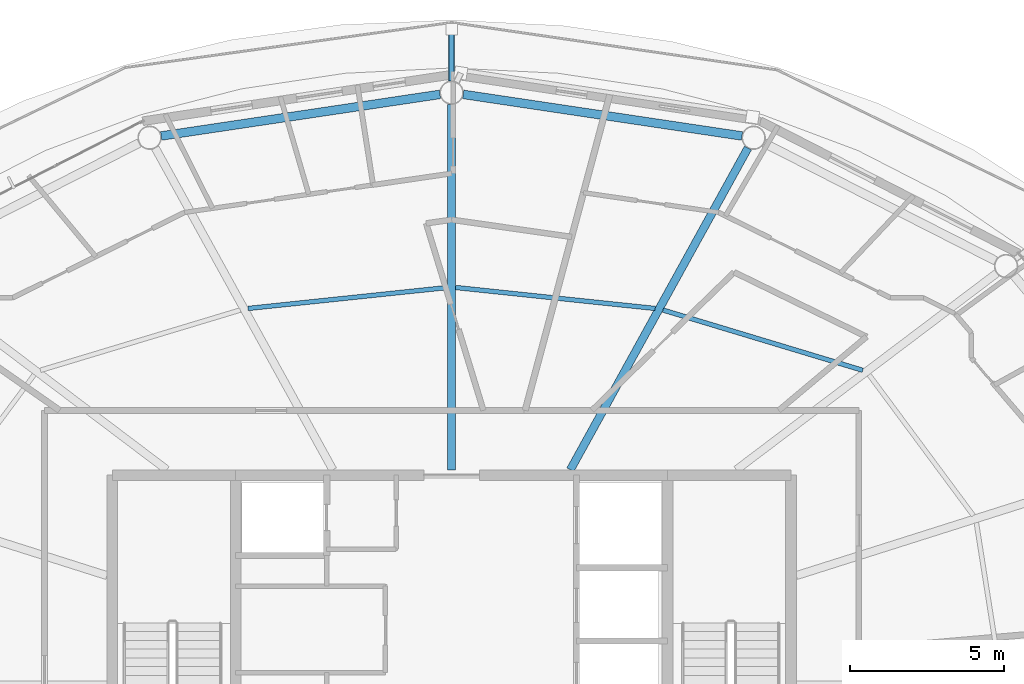
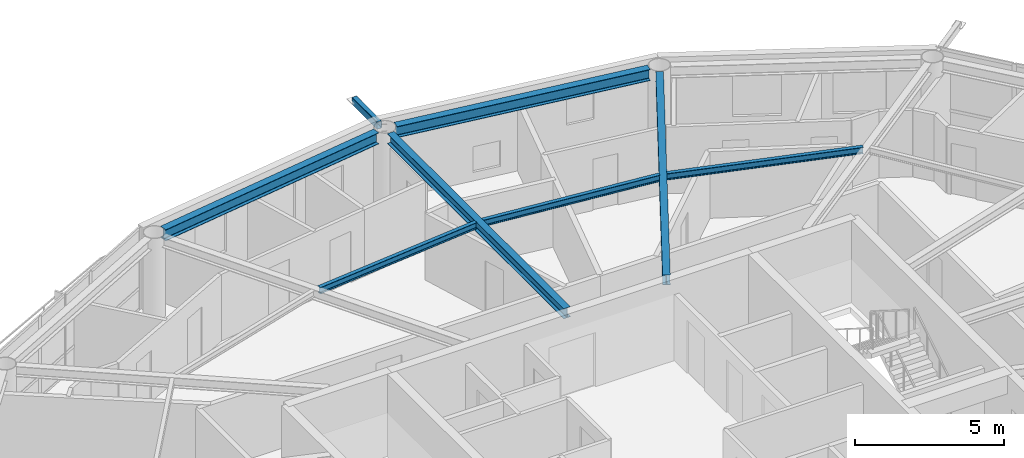
# One storey, part 10 of 23: 7 beams, 1 member.
"""IFC4 building model written with IfcOpenShell, lengths in metres."""

from ifc_helpers import new_model, si_unit, direction, frame, origin, origin_2d, place, context, subcontext, project, spatial, hollow_rectangle, i_section, extrude, material, material_profile, profile_set, type_object, element, save


model = new_model("IFC4")

# Units and contexts
model_context = context("Model", 3, precision=1e-05, world=origin(), true_north=direction((0.0, 1.0)))
body_context = subcontext(model_context, "Body", "Model", "MODEL_VIEW")
ifc_project = project(units=[si_unit("LENGTHUNIT", "METRE"), si_unit("AREAUNIT", "SQUARE_METRE"), si_unit("VOLUMEUNIT", "CUBIC_METRE"), si_unit("PLANEANGLEUNIT", "RADIAN"), si_unit("MASSUNIT", "GRAM", prefix="KILO")], contexts=[model_context])

# Site, building, storey
site_placement = place(None, origin())
site = spatial("IfcSite", under=ifc_project, at=site_placement, CompositionType="ELEMENT")
building_placement = place(site_placement, origin())
building = spatial("IfcBuilding", under=site, at=building_placement, Name="Sarneth Arch Tower", CompositionType="ELEMENT")
storey_placement = place(building_placement, frame((0.0, 0.0, 273.0)))
storey = spatial("IfcBuildingStorey", under=building, at=storey_placement, Name="L70", CompositionType="ELEMENT", Elevation=273.0)

# Beams
ifc_material_1 = material(Name="Steel S355", Category="steel")
ifc_material_profile_1 = material_profile(ifc_material_1, i_section(OverallWidth=0.14794921875, OverallDepth=0.26611328125, WebThickness=0.007568359375, FlangeThickness=0.012939453125, FilletRadius=0.012939453125, at=origin_2d()), Name="W250x44.8")
ifc_profile_set_1 = profile_set([ifc_material_profile_1], Name="Steel S355")
beam_type_1 = type_object("IfcBeamType", Name="BM-JOIST-250", PredefinedType="JOIST", material=ifc_profile_set_1)
beam_1_placement = place(storey_placement, frame((61.32861328125, 52.198486328125, 3.237060546875), z_axis=(-0.957373106971, 0.288854174367, 0.0), x_axis=(-0.288854174367, -0.957373106971, 0.0)))
element("IfcBeam", 1, at=beam_1_placement, inside=storey, type_object=beam_type_1, Name="L70 Secondary floor joist 03", PredefinedType="JOIST", context=body_context, shape_type="SweptSolid", body=[
    extrude(i_section(OverallWidth=0.14794921875, OverallDepth=0.26611328125, WebThickness=0.007568359375, FlangeThickness=0.012939453125, FilletRadius=0.012939453125, at=origin_2d()), origin(), (0.0, 0.0, 1.0), 6.76416015625),
])
for number, where, z_axis, x_axis, name in (
    (2, (54.59912109375, 54.20361328125, 3.237060546875), (-0.994526818736, 0.104481609938, 0.0), (-0.104481609938, -0.994526818736, 0.0), "L70 Secondary floor joist 04"),
    (3, (47.87060546875, 54.88330078125, 3.237060546875), (-0.994526818736, -0.104481609938, 0.0), (0.104481609938, -0.994526818736, 0.0), "L70 Secondary floor joist 05"),
):
    element("IfcBeam", number, at=place(storey_placement, frame(where, z_axis=z_axis, x_axis=x_axis)), inside=storey, type_object=beam_type_1, Name=name, PredefinedType="JOIST", context=body_context, shape_type="SweptSolid", body=[
        extrude(i_section(OverallWidth=0.14794921875, OverallDepth=0.26611328125, WebThickness=0.007568359375, FlangeThickness=0.012939453125, FilletRadius=0.012939453125, at=origin_2d()), origin(), (0.0, 0.0, 1.0), 6.50537109375),
    ])
ifc_material_2 = material(Name="Steel S355", Category="steel")
ifc_material_profile_2 = material_profile(ifc_material_2, i_section(OverallWidth=0.260009765625, OverallDepth=0.4150390625, WebThickness=0.010009765625, FlangeThickness=0.016845703125, FilletRadius=0.01611328125, at=origin_2d()), Name="W410x100")
ifc_profile_set_2 = profile_set([ifc_material_profile_2], Name="Steel S355")
beam_type_2 = type_object("IfcBeamType", Name="BM-RAD-410A", PredefinedType="BEAM", material=ifc_profile_set_2)
beam_2_placement = place(storey_placement, frame((51.849853515625, 48.97509765625, 3.16259765625), z_axis=(0.483231193732, 0.875492783182, 0.0), x_axis=(-0.875492783182, 0.483231193732, 0.0)))
element("IfcBeam", 4, at=beam_2_placement, inside=storey, type_object=beam_type_2, Name="L70 Radial floor girder 04", PredefinedType="BEAM", context=body_context, shape_type="SweptSolid", body=[
    extrude(i_section(OverallWidth=0.260009765625, OverallDepth=0.4150390625, WebThickness=0.010009765625, FlangeThickness=0.016845703125, FilletRadius=0.01611328125, at=origin_2d()), origin(), (0.0, 0.0, 1.0), 11.913330078125),
])
beam_3_placement = place(storey_placement, frame((48.0, 48.97509765625, 3.16259765625), z_axis=(0.0, 1.0, 0.0), x_axis=(-1.0, 0.0, 0.0)))
element("IfcBeam", 5, at=beam_3_placement, inside=storey, type_object=beam_type_2, Name="L70 Radial floor girder 05", PredefinedType="BEAM", context=body_context, shape_type="SweptSolid", body=[
    extrude(i_section(OverallWidth=0.260009765625, OverallDepth=0.4150390625, WebThickness=0.010009765625, FlangeThickness=0.016845703125, FilletRadius=0.01611328125, at=origin_2d()), origin(), (0.0, 0.0, 1.0), 11.843994140625),
])
ifc_material_3 = material(Name="Steel S355", Category="steel")
ifc_material_profile_3 = material_profile(ifc_material_3, i_section(OverallWidth=0.280029296875, OverallDepth=0.462890625, WebThickness=0.0107421875, FlangeThickness=0.017333984375, FilletRadius=0.01806640625, at=origin_2d()), Name="W460x113")
ifc_profile_set_3 = profile_set([ifc_material_profile_3], Name="Steel S355")
beam_type_3 = type_object("IfcBeamType", Name="BM-RAD-460A", PredefinedType="BEAM", material=ifc_profile_set_3)
for number, where, z_axis, x_axis, name in (
    (6, (57.4140625, 59.794677734375, 3.138427734375), (-0.989040174637, 0.147646648973, 0.0), (-0.147646648973, -0.989040174637, 0.0), "L70 Perimeter spandrel beam 04"),
    (7, (47.623291015625, 61.143798828125, 3.138427734375), (-0.989040174637, -0.147646648973, 0.0), (0.147646648973, -0.989040174637, 0.0), "L70 Perimeter spandrel beam 05"),
):
    element("IfcBeam", number, at=place(storey_placement, frame(where, z_axis=z_axis, x_axis=x_axis)), inside=storey, type_object=beam_type_3, Name=name, PredefinedType="BEAM", context=body_context, shape_type="SweptSolid", body=[
        extrude(i_section(OverallWidth=0.280029296875, OverallDepth=0.462890625, WebThickness=0.0107421875, FlangeThickness=0.017333984375, FilletRadius=0.01806640625, at=origin_2d()), origin(), (0.0, 0.0, 1.0), 9.137451171875),
    ])

# Member
ifc_material_4 = material(Name="Steel S355", Category="steel")
ifc_material_profile_4 = material_profile(ifc_material_4, hollow_rectangle(XDim=0.199951171875, YDim=0.300048828125, WallThickness=0.012451171875, InnerFilletRadius=0.018798828125, OuterFilletRadius=0.03125, at=origin_2d()), Name="RHS300x200x12.5")
ifc_profile_set_4 = profile_set([ifc_material_profile_4], Name="Steel S355")
member_type = type_object("IfcMemberType", Name="MEM-CANT-STRUT", PredefinedType="STRUT", material=ifc_profile_set_4)
member_placement = place(storey_placement, frame((48.0, 61.5810546875, 3.2099609375), z_axis=(0.0, 1.0, 0.0), x_axis=(-1.0, 0.0, 0.0)))
element("IfcMember", 8, at=member_placement, inside=storey, type_object=member_type, Name="L70 Balcony cantilever bracket 05", PredefinedType="STRUT", context=body_context, shape_type="SweptSolid", body=[
    extrude(hollow_rectangle(XDim=0.199951171875, YDim=0.300048828125, WallThickness=0.012451171875, InnerFilletRadius=0.018798828125, OuterFilletRadius=0.03125, at=origin_2d()), origin(), (0.0, 0.0, 1.0), 1.675048828125),
])

save(model, "model.ifc")
